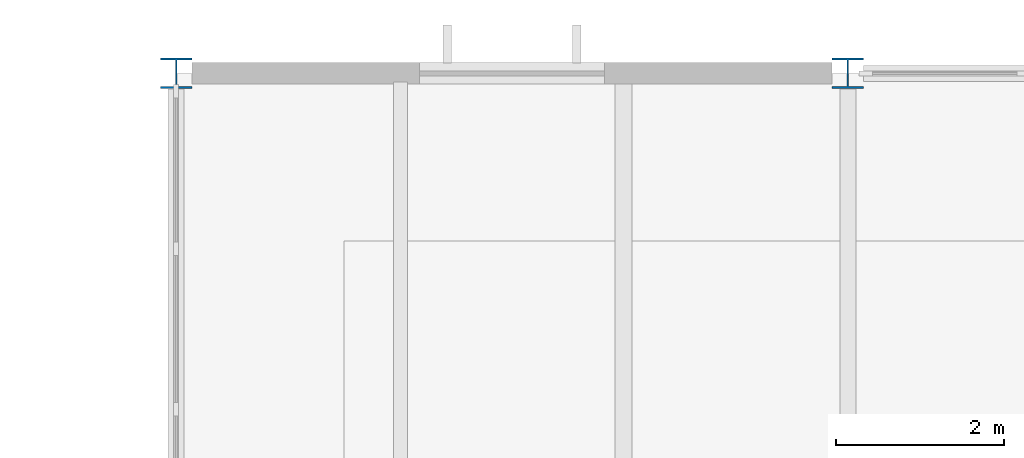
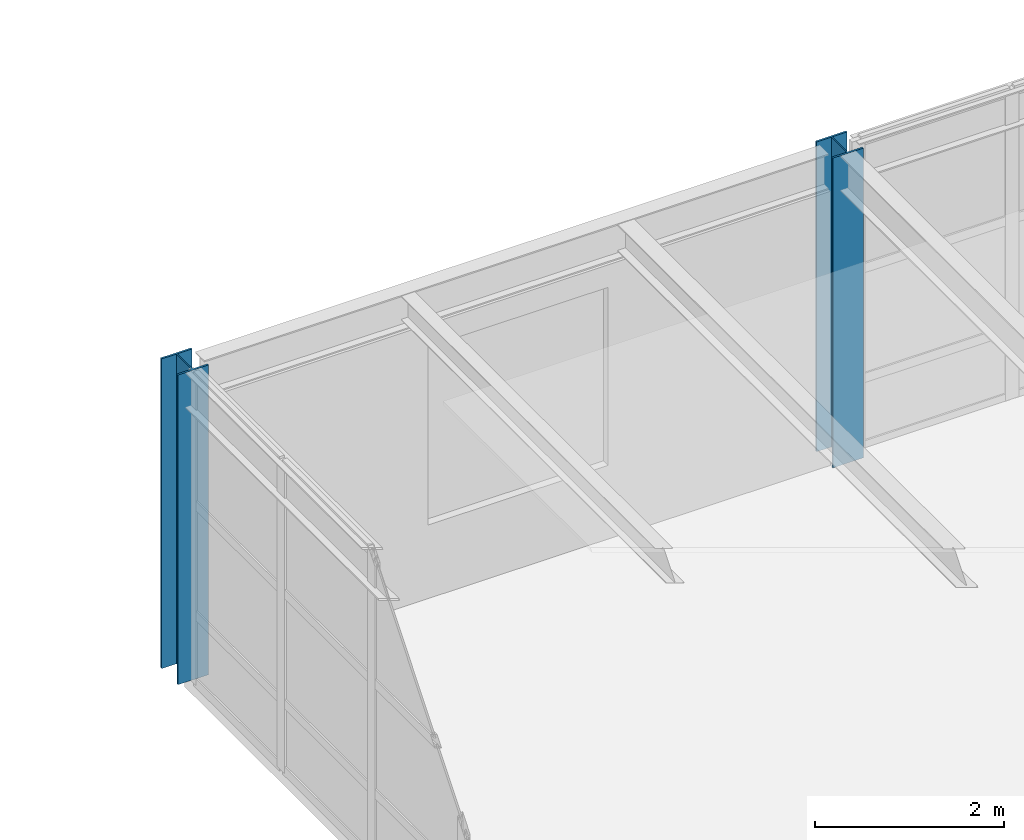
# One storey, part 6 of 50: 2 columns.
"""IFC4 building model written with IfcOpenShell, lengths in metres."""

from ifc_helpers import new_model, si_unit, direction, frame, origin, origin_2d, place, context, subcontext, project, spatial, i_section, extrude, material, material_profile, profile_set, type_object, element, save


model = new_model("IFC4")

# Units and contexts
model_context = context("Model", 3, precision=1e-05, world=origin(), true_north=direction((0.0, 1.0)))
body_context = subcontext(model_context, "Body", "Model", "MODEL_VIEW")
ifc_project = project(units=[si_unit("LENGTHUNIT", "METRE"), si_unit("AREAUNIT", "SQUARE_METRE"), si_unit("VOLUMEUNIT", "CUBIC_METRE"), si_unit("PLANEANGLEUNIT", "RADIAN"), si_unit("MASSUNIT", "GRAM", prefix="KILO")], contexts=[model_context])

# Site, building, storey
site_placement = place(None, origin())
site = spatial("IfcSite", under=ifc_project, at=site_placement, CompositionType="ELEMENT")
building_placement = place(site_placement, origin())
building = spatial("IfcBuilding", under=site, at=building_placement, Name="Varnela Railside Interchange", CompositionType="ELEMENT")
storey_placement = place(building_placement, frame((0.0, 0.0, 15.39990234375)))
storey = spatial("IfcBuildingStorey", under=building, at=storey_placement, Name="L03", CompositionType="ELEMENT", Elevation=15.39990234375)

# Columns
ifc_material = material(Name="Steel AR 350 (350 MPa)", Category="steel")
ifc_material_profile = material_profile(ifc_material, i_section(OverallWidth=0.373046875, OverallDepth=0.367919921875, WebThickness=0.014892578125, FlangeThickness=0.02392578125, at=origin_2d()), Name="W360x179")
ifc_profile_set = profile_set([ifc_material_profile], Name="Steel AR 350 (350 MPa)")
column_type = type_object("IfcColumnType", Name="Superstructure Steel Col C-18", PredefinedType="COLUMN", material=ifc_profile_set)
for number, where, z_axis, x_axis, name in (
    (1, (116.0, 94.0, 0.0), (0.0, 0.0, 1.0), (1.0, 0.0, 0.0), "Column C-18 (L03) (CL-0824)"),
    (2, (124.0, 94.0, 0.0), (0.0, 0.0, 1.0), (1.0, 0.0, 0.0), "Column C-18 (L03) (CL-0832)"),
):
    element("IfcColumn", number, at=place(storey_placement, frame(where, z_axis=z_axis, x_axis=x_axis)), inside=storey, type_object=column_type, Name=name, PredefinedType="COLUMN", context=body_context, shape_type="SweptSolid", body=[
        extrude(i_section(OverallWidth=0.373046875, OverallDepth=0.367919921875, WebThickness=0.014892578125, FlangeThickness=0.02392578125, at=origin_2d()), origin(), (0.0, 0.0, 1.0), 4.0),
    ])

save(model, "model.ifc")
